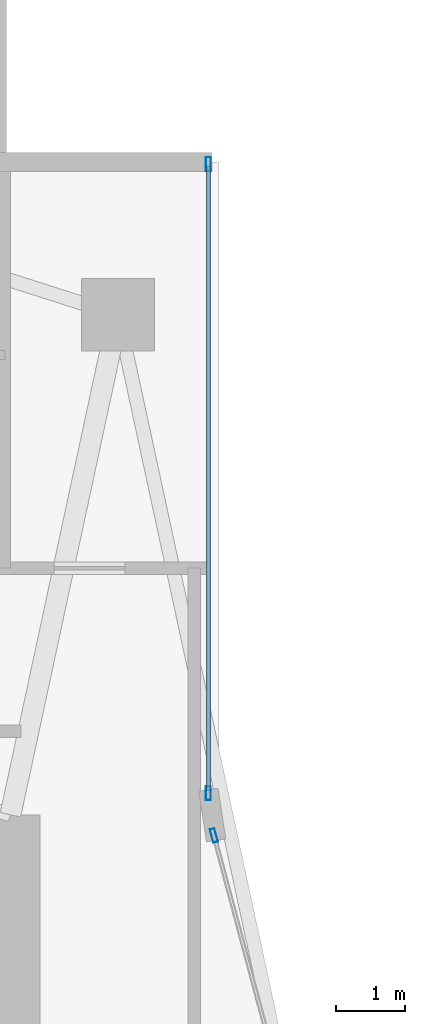
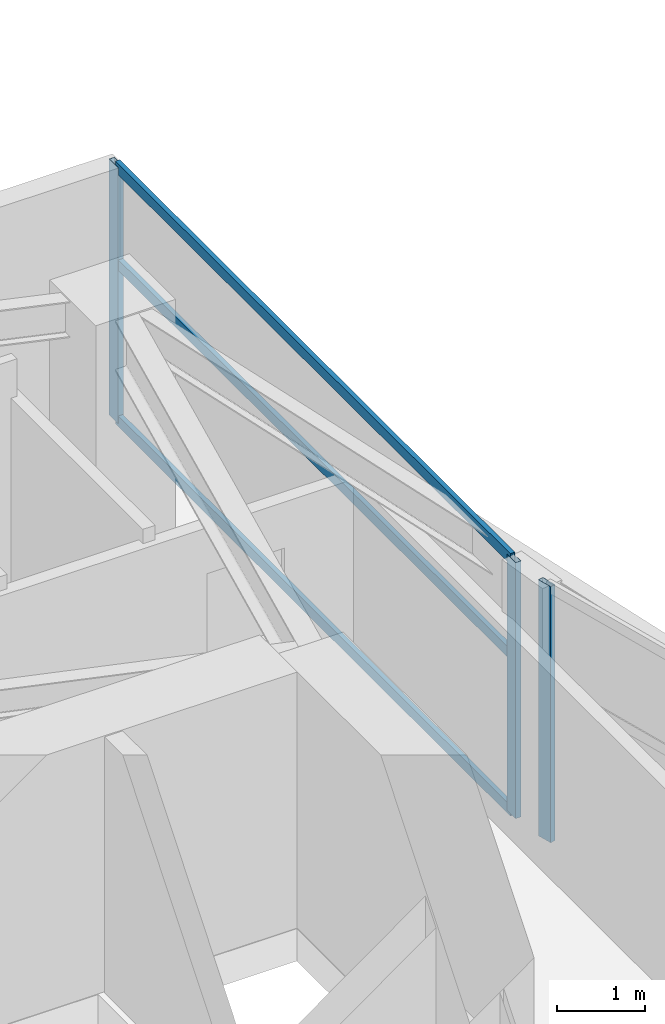
# One storey, part 18 of 28: 6 members, 2 elements without a shape of their own.
"""IFC4 building model written with IfcOpenShell, lengths in metres."""

from ifc_helpers import new_model, si_unit, direction, frame, origin, origin_2d, place, context, subcontext, project, spatial, hollow_rectangle, extrude, material, layer, layer_set, material_profile, profile_set, type_object, element, aggregate, save


model = new_model("IFC4")

# Units and contexts
model_context = context("Model", 3, precision=1e-05, world=origin(), true_north=direction((0.0, 1.0)))
body_context = subcontext(model_context, "Body", "Model", "MODEL_VIEW")
ifc_project = project(units=[si_unit("LENGTHUNIT", "METRE"), si_unit("AREAUNIT", "SQUARE_METRE"), si_unit("VOLUMEUNIT", "CUBIC_METRE"), si_unit("PLANEANGLEUNIT", "RADIAN"), si_unit("MASSUNIT", "GRAM", prefix="KILO")], contexts=[model_context])

# Site, building, storey
site_placement = place(None, origin())
site = spatial("IfcSite", under=ifc_project, at=site_placement, CompositionType="ELEMENT")
building_placement = place(site_placement, origin())
building = spatial("IfcBuilding", under=site, at=building_placement, Name="Calvorn Quay Hotel", CompositionType="ELEMENT")
storey_placement = place(building_placement, frame((0.0, 0.0, 97.39990234375)))
storey = spatial("IfcBuildingStorey", under=building, at=storey_placement, Name="L23", CompositionType="ELEMENT", Elevation=97.39990234375)

# Curtain wall, member
ifc_material_1 = material(Name="Pale Anodised Aluminium and Low-E Glass", Category="aluminium")
ifc_layer = layer(ifc_material_1, 0.219970703125)
ifc_layer_set = layer_set([ifc_layer], Name="CW-SYS-Z2")
curtain_wall_type = type_object("IfcCurtainWallType", Name="CW-SYS-Z2", PredefinedType="NOTDEFINED", material=ifc_layer_set)
curtain_wall_1_placement = place(storey_placement, origin())
curtain_wall_1 = element("IfcCurtainWall", 1, at=curtain_wall_1_placement, inside=storey, type_object=curtain_wall_type, Name="Inner Court Curtain Wall L23-IC1", PredefinedType="NOTDEFINED")
ifc_material_2 = material(Name="Pale Anodised Aluminium 6063-T6", Category="aluminium")
ifc_material_profile_1 = material_profile(ifc_material_2, hollow_rectangle(XDim=0.070068359375, YDim=0.199951171875, WallThickness=0.00390625, at=origin_2d()), Name="ALU-M200x70x4")
ifc_profile_set_1 = profile_set([ifc_material_profile_1], Name="Pale Anodised Aluminium 6063-T6")
member_type_1 = type_object("IfcMemberType", Name="CW-SYS-Z2-MUL", PredefinedType="MULLION", material=ifc_profile_set_1)
member_1_placement = place(storey_placement, frame((17.9296875, 38.10107421875, 0.0), z_axis=(0.0, 0.0, 1.0), x_axis=(-0.96593652056, -0.25877913024, 0.0)))
member_1 = element("IfcMember", 2, at=member_1_placement, type_object=member_type_1, Name="CW-L23-IC1 mullion 2", PredefinedType="MULLION", context=body_context, shape_type="SweptSolid", body=[
    extrude(hollow_rectangle(XDim=0.070068359375, YDim=0.199951171875, WallThickness=0.00390625, at=origin_2d()), origin(), (0.0, 0.0, 1.0), 3.56005859375),
])
aggregate(curtain_wall_1, [member_1])

# Curtain wall, members
curtain_wall_2_placement = place(storey_placement, origin())
curtain_wall_2 = element("IfcCurtainWall", 3, at=curtain_wall_2_placement, inside=storey, type_object=curtain_wall_type, Name="Inner Court Curtain Wall L23-IC2", PredefinedType="NOTDEFINED")
member_2_placement = place(storey_placement, frame((17.85009765625, 38.7099609375, 0.0), z_axis=(0.0, 0.0, 1.0), x_axis=(-1.0, 0.0, 0.0)))
member_2 = element("IfcMember", 4, at=member_2_placement, type_object=member_type_1, Name="CW-L23-IC2 mullion 1", PredefinedType="MULLION", context=body_context, shape_type="SweptSolid", body=[
    extrude(hollow_rectangle(XDim=0.070068359375, YDim=0.199951171875, WallThickness=0.00390625, at=origin_2d()), origin(), (0.0, 0.0, 1.0), 3.56005859375),
])
member_3_placement = place(storey_placement, frame((17.85009765625, 47.77001953125, 0.0), z_axis=(0.0, 0.0, 1.0), x_axis=(-1.0, 0.0, 0.0)))
member_3 = element("IfcMember", 5, at=member_3_placement, type_object=member_type_1, Name="CW-L23-IC2 mullion 2", PredefinedType="MULLION", context=body_context, shape_type="SweptSolid", body=[
    extrude(hollow_rectangle(XDim=0.070068359375, YDim=0.199951171875, WallThickness=0.00390625, at=origin_2d()), origin(), (0.0, 0.0, 1.0), 3.56005859375),
])
ifc_material_3 = material(Name="Pale Anodised Aluminium 6063-T6", Category="aluminium")
ifc_material_profile_2 = material_profile(ifc_material_3, hollow_rectangle(XDim=0.06005859375, YDim=0.14990234375, WallThickness=0.00341796875, at=origin_2d()), Name="ALU-T150x60x3.5")
ifc_profile_set_2 = profile_set([ifc_material_profile_2], Name="Pale Anodised Aluminium 6063-T6")
member_type_2 = type_object("IfcMemberType", Name="CW-SYS-Z2-TRN", PredefinedType="USERDEFINED", material=ifc_profile_set_2)
member_4_placement = place(storey_placement, frame((17.85009765625, 38.739990234375, 0.030029296875), z_axis=(0.0, 1.0, 0.0), x_axis=(-1.0, 0.0, 0.0)))
member_4 = element("IfcMember", 6, at=member_4_placement, type_object=member_type_2, Name="CW-L23-IC2 transom 1.1", ObjectType="TRANSOM", PredefinedType="USERDEFINED", context=body_context, shape_type="SweptSolid", body=[
    extrude(hollow_rectangle(XDim=0.06005859375, YDim=0.14990234375, WallThickness=0.00341796875, at=origin_2d()), origin(), (0.0, 0.0, 1.0), 9.0),
])
member_5_placement = place(storey_placement, frame((17.85009765625, 38.739990234375, 2.2001953125), z_axis=(0.0, 1.0, 0.0), x_axis=(-1.0, 0.0, 0.0)))
member_5 = element("IfcMember", 7, at=member_5_placement, type_object=member_type_2, Name="CW-L23-IC2 transom 1.2", ObjectType="TRANSOM", PredefinedType="USERDEFINED", context=body_context, shape_type="SweptSolid", body=[
    extrude(hollow_rectangle(XDim=0.06005859375, YDim=0.14990234375, WallThickness=0.00341796875, at=origin_2d()), origin(), (0.0, 0.0, 1.0), 9.0),
])
member_6_placement = place(storey_placement, frame((17.85009765625, 38.739990234375, 3.530029296875), z_axis=(0.0, 1.0, 0.0), x_axis=(-1.0, 0.0, 0.0)))
member_6 = element("IfcMember", 8, at=member_6_placement, type_object=member_type_2, Name="CW-L23-IC2 transom 1.3", ObjectType="TRANSOM", PredefinedType="USERDEFINED", context=body_context, shape_type="SweptSolid", body=[
    extrude(hollow_rectangle(XDim=0.06005859375, YDim=0.14990234375, WallThickness=0.00341796875, at=origin_2d()), origin(), (0.0, 0.0, 1.0), 9.0),
])
aggregate(curtain_wall_2, [member_2, member_3, member_4, member_5, member_6])

save(model, "model.ifc")
